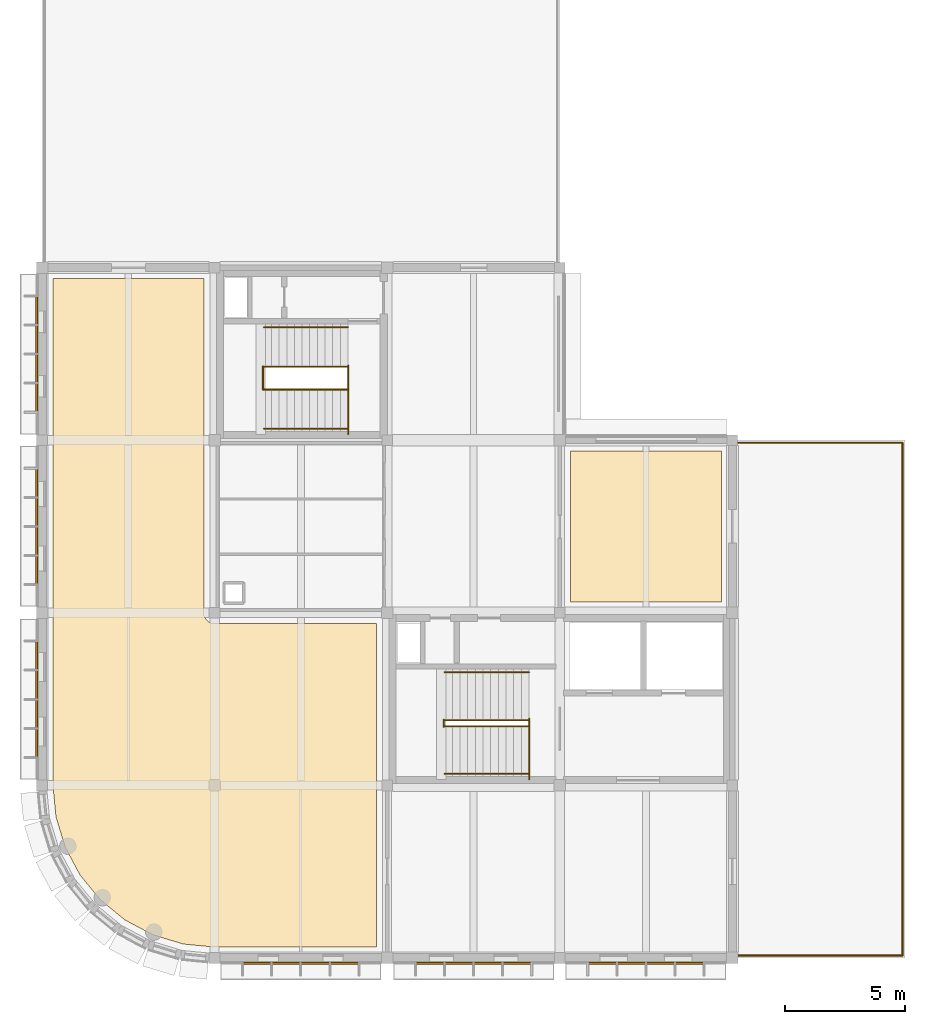
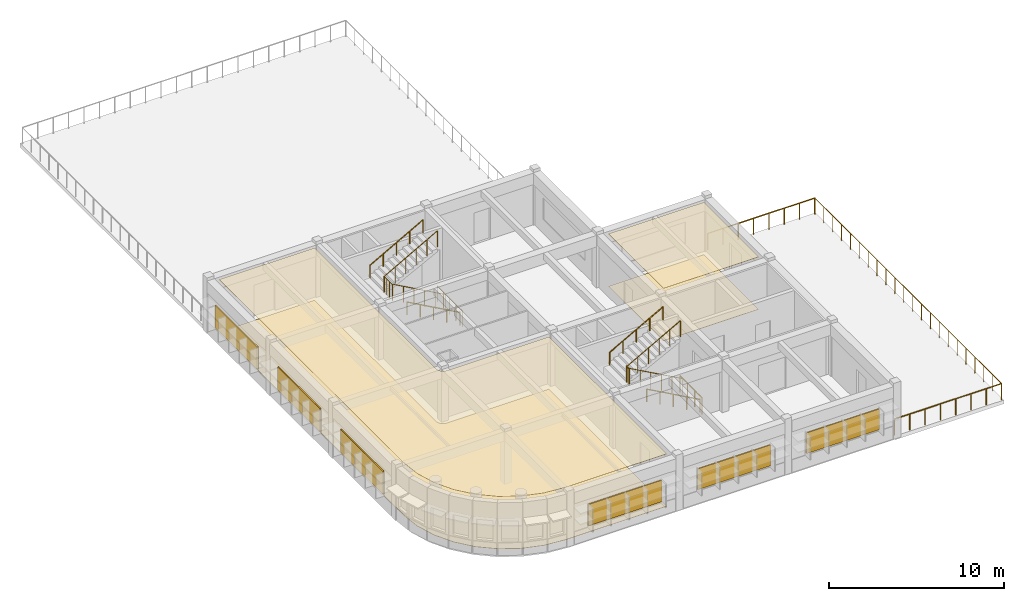
# One storey, part 6 of 7: 17 railings, 6 shading devices, 4 coverings.
"""IFC4 building model written with IfcOpenShell, lengths in metres."""

from ifc_helpers import new_model, si_unit, direction, frame, origin, origin_2d, place, context, subcontext, project, spatial, polyline, rectangle, circle, outline, extrude, material, layer, layer_set, type_object, element, save


model = new_model("IFC4")

# Units and contexts
model_context = context("Model", 3, precision=1e-05, world=origin(), true_north=direction((0.0, 1.0)))
body_context = subcontext(model_context, "Body", "Model", "MODEL_VIEW")
ifc_project = project(units=[si_unit("LENGTHUNIT", "METRE"), si_unit("AREAUNIT", "SQUARE_METRE"), si_unit("VOLUMEUNIT", "CUBIC_METRE"), si_unit("PLANEANGLEUNIT", "RADIAN"), si_unit("MASSUNIT", "GRAM", prefix="KILO")], contexts=[model_context])

# Site, building, storey
site_placement = place(None, origin())
site = spatial("IfcSite", under=ifc_project, at=site_placement, CompositionType="ELEMENT")
building_placement = place(site_placement, origin())
building = spatial("IfcBuilding", under=site, at=building_placement, Name="Thalmaran Polytechnic", CompositionType="ELEMENT")
storey_placement = place(building_placement, frame((0.0, 0.0, 30.60009765625)))
storey = spatial("IfcBuildingStorey", under=building, at=storey_placement, Name="L07", CompositionType="ELEMENT", Elevation=30.60009765625)

# Coverings
ifc_material_1 = material(Name="Acoustic mineral fibre ceiling")
ifc_layer_1 = layer(ifc_material_1, 0.02490234375, Name="Acoustic mineral fibre ceiling")
ifc_layer_set_1 = layer_set([ifc_layer_1], Name="Acoustic mineral fibre ceiling")
covering_type_1 = type_object("IfcCoveringType", Name="CV-CL01", PredefinedType="CEILING", material=ifc_layer_set_1)
covering_1_placement = place(storey_placement, frame((0.0, 0.0, 3.659912109375)))
element("IfcCovering", 1, at=covering_1_placement, inside=storey, type_object=covering_type_1, Name="Academic Department Suite L07-01 Acoustic Ceiling", PredefinedType="CEILING", context=body_context, shape_type="SweptSolid", body=[
    extrude(outline(polyline([(4.61767578125, 0.9658203125), (3.451171875, 1.58935546875), (2.428466796875, 2.428466796875), (1.58935546875, 3.451171875), (0.9658203125, 4.61767578125), (0.581787109375, 5.883544921875), (0.449951171875, 7.22216796875), (0.449951171875, 28.35009765625), (6.75, 28.35009765625), (6.75, 14.39990234375), (6.752197265625, 14.35595703125), (6.758544921875, 14.312255859375), (6.769287109375, 14.269287109375), (6.7841796875, 14.227783203125), (6.80322265625, 14.18798828125), (6.825927734375, 14.14990234375), (6.85205078125, 14.114501953125), (6.8818359375, 14.081787109375), (6.91455078125, 14.05224609375), (6.949951171875, 14.02587890625), (6.98779296875, 14.003173828125), (7.02783203125, 13.984375), (7.0693359375, 13.969482421875), (7.1123046875, 13.958740234375), (7.156005859375, 13.9521484375), (7.199951171875, 13.949951171875), (13.949951171875, 13.949951171875), (13.949951171875, 0.449951171875), (7.22216796875, 0.449951171875), (5.883544921875, 0.581787109375), (4.61767578125, 0.9658203125)])), origin(), (0.0, 0.0, 1.0), 0.02490234375),
])
covering_2_placement = place(storey_placement, frame((0.0, 0.0, 3.659912109375)))
element("IfcCovering", 2, at=covering_2_placement, inside=storey, type_object=covering_type_1, Name="Fluid Mechanics Laboratory L07-02 Acoustic Ceiling", PredefinedType="CEILING", context=body_context, shape_type="SweptSolid", body=[
    extrude(outline(polyline([(28.35009765625, 14.85009765625), (22.050048828125, 14.85009765625), (22.050048828125, 21.14990234375), (28.35009765625, 21.14990234375), (28.35009765625, 14.85009765625)])), origin(), (0.0, 0.0, 1.0), 0.02490234375),
])
ifc_material_2 = material(Name="Polished terrazzo and epoxy lab flooring")
ifc_layer_2 = layer(ifc_material_2, 0.02001953125, Name="Polished terrazzo and epoxy lab flooring")
ifc_layer_set_2 = layer_set([ifc_layer_2], Name="Polished terrazzo and epoxy lab flooring")
covering_type_2 = type_object("IfcCoveringType", Name="CV-FL01", PredefinedType="FLOORING", material=ifc_layer_set_2)
covering_3_placement = place(storey_placement, origin())
element("IfcCovering", 3, at=covering_3_placement, inside=storey, type_object=covering_type_2, Name="Academic Department Suite L07-01 Specialist Finish Flooring", PredefinedType="FLOORING", context=body_context, shape_type="SweptSolid", body=[
    extrude(outline(polyline([(4.61767578125, 0.9658203125), (3.451171875, 1.58935546875), (2.428466796875, 2.428466796875), (1.58935546875, 3.451171875), (0.9658203125, 4.61767578125), (0.581787109375, 5.883544921875), (0.449951171875, 7.22216796875), (0.449951171875, 28.35009765625), (6.75, 28.35009765625), (6.75, 14.39990234375), (6.752197265625, 14.35595703125), (6.758544921875, 14.312255859375), (6.769287109375, 14.269287109375), (6.7841796875, 14.227783203125), (6.80322265625, 14.18798828125), (6.825927734375, 14.14990234375), (6.85205078125, 14.114501953125), (6.8818359375, 14.081787109375), (6.91455078125, 14.05224609375), (6.949951171875, 14.02587890625), (6.98779296875, 14.003173828125), (7.02783203125, 13.984375), (7.0693359375, 13.969482421875), (7.1123046875, 13.958740234375), (7.156005859375, 13.9521484375), (7.199951171875, 13.949951171875), (13.949951171875, 13.949951171875), (13.949951171875, 0.449951171875), (7.22216796875, 0.449951171875), (5.883544921875, 0.581787109375), (4.61767578125, 0.9658203125)])), origin(), (0.0, 0.0, 1.0), 0.02001953125),
])
covering_4_placement = place(storey_placement, origin())
element("IfcCovering", 4, at=covering_4_placement, inside=storey, type_object=covering_type_2, Name="Fluid Mechanics Laboratory L07-02 Specialist Finish Flooring", PredefinedType="FLOORING", context=body_context, shape_type="SweptSolid", body=[
    extrude(outline(polyline([(28.35009765625, 14.85009765625), (22.050048828125, 14.85009765625), (22.050048828125, 21.14990234375), (28.35009765625, 21.14990234375), (28.35009765625, 14.85009765625)])), origin(), (0.0, 0.0, 1.0), 0.02001953125),
])

# Railings
ifc_material_3 = material(Name="Stainless steel 316 and laminated glass", Category="steel")
railing_type_1 = type_object("IfcRailingType", Name="RL-BL01", PredefinedType="BALUSTRADE", material=ifc_material_3)
railing_1_placement = place(storey_placement, frame((28.81005859375, 21.5, 0.0)))
element("IfcRailing", 5, at=railing_1_placement, inside=storey, type_object=railing_type_1, Name="Terrace Balustrade Guard L07-1-1", PredefinedType="BALUSTRADE", context=body_context, shape_type="SweptSolid", body=[
    extrude(circle(Radius=0.02392578125, at=origin_2d()), frame((0.0, 0.0, 1.1259765625), z_axis=(1.0, 0.0, 0.0), x_axis=(0.0, 1.0, 0.0)), (0.0, 0.0, 1.0), 7.08984375),
    extrude(circle(Radius=0.02099609375, at=origin_2d()), origin(), (0.0, 0.0, 1.0), 1.101806640625),
    extrude(circle(Radius=0.02099609375, at=origin_2d()), frame((1.012939453125, 0.0, 0.0)), (0.0, 0.0, 1.0), 1.101806640625),
    extrude(circle(Radius=0.02099609375, at=origin_2d()), frame((2.025634765625, 0.0, 0.0)), (0.0, 0.0, 1.0), 1.101806640625),
    extrude(circle(Radius=0.02099609375, at=origin_2d()), frame((3.03857421875, 0.0, 0.0)), (0.0, 0.0, 1.0), 1.101806640625),
    extrude(circle(Radius=0.02099609375, at=origin_2d()), frame((4.05126953125, 0.0, 0.0)), (0.0, 0.0, 1.0), 1.101806640625),
    extrude(circle(Radius=0.02099609375, at=origin_2d()), frame((5.064208984375, 0.0, 0.0)), (0.0, 0.0, 1.0), 1.101806640625),
    extrude(circle(Radius=0.02099609375, at=origin_2d()), frame((6.076904296875, 0.0, 0.0)), (0.0, 0.0, 1.0), 1.101806640625),
    extrude(circle(Radius=0.02099609375, at=origin_2d()), frame((7.08984375, 0.0, 0.0)), (0.0, 0.0, 1.0), 1.101806640625),
])
for number, where, name in (
    (6, (35.89990234375, 21.5, 0.0), "Terrace Balustrade Guard L07-1-2"),
    (7, (35.89990234375, 14.36669921875, 0.0), "Terrace Balustrade Guard L07-1-3"),
    (8, (35.89990234375, 7.2333984375, 0.0), "Terrace Balustrade Guard L07-1-4"),
):
    element("IfcRailing", number, at=place(storey_placement, frame(where)), inside=storey, type_object=railing_type_1, Name=name, PredefinedType="BALUSTRADE", context=body_context, shape_type="SweptSolid", body=[
        extrude(circle(Radius=0.02392578125, at=origin_2d()), frame((0.0, 0.0, 1.1259765625), z_axis=(0.0, -1.0, 0.0), x_axis=(1.0, 0.0, 0.0)), (0.0, 0.0, 1.0), 7.13330078125),
        extrude(circle(Radius=0.02099609375, at=origin_2d()), origin(), (0.0, 0.0, 1.0), 1.101806640625),
        extrude(circle(Radius=0.02099609375, at=origin_2d()), frame((0.0, -1.01904296875, 0.0)), (0.0, 0.0, 1.0), 1.101806640625),
        extrude(circle(Radius=0.02099609375, at=origin_2d()), frame((0.0, -2.0380859375, 0.0)), (0.0, 0.0, 1.0), 1.101806640625),
        extrude(circle(Radius=0.02099609375, at=origin_2d()), frame((0.0, -3.05712890625, 0.0)), (0.0, 0.0, 1.0), 1.101806640625),
        extrude(circle(Radius=0.02099609375, at=origin_2d()), frame((0.0, -4.076171875, 0.0)), (0.0, 0.0, 1.0), 1.101806640625),
        extrude(circle(Radius=0.02099609375, at=origin_2d()), frame((0.0, -5.09521484375, 0.0)), (0.0, 0.0, 1.0), 1.101806640625),
        extrude(circle(Radius=0.02099609375, at=origin_2d()), frame((0.0, -6.1142578125, 0.0)), (0.0, 0.0, 1.0), 1.101806640625),
        extrude(circle(Radius=0.02099609375, at=origin_2d()), frame((0.0, -7.13330078125, 0.0)), (0.0, 0.0, 1.0), 1.101806640625),
    ])
railing_2_placement = place(storey_placement, frame((35.89990234375, 0.10009765625, 0.0)))
element("IfcRailing", 9, at=railing_2_placement, inside=storey, type_object=railing_type_1, Name="Terrace Balustrade Guard L07-1-5", PredefinedType="BALUSTRADE", context=body_context, shape_type="SweptSolid", body=[
    extrude(circle(Radius=0.02392578125, at=origin_2d()), frame((0.0, 0.0, 1.1259765625), z_axis=(-1.0, 0.0, 0.0), x_axis=(0.0, -1.0, 0.0)), (0.0, 0.0, 1.0), 7.08984375),
    extrude(circle(Radius=0.02099609375, at=origin_2d()), origin(), (0.0, 0.0, 1.0), 1.101806640625),
    extrude(circle(Radius=0.02099609375, at=origin_2d()), frame((-1.012939453125, 0.0, 0.0)), (0.0, 0.0, 1.0), 1.101806640625),
    extrude(circle(Radius=0.02099609375, at=origin_2d()), frame((-2.025634765625, 0.0, 0.0)), (0.0, 0.0, 1.0), 1.101806640625),
    extrude(circle(Radius=0.02099609375, at=origin_2d()), frame((-3.03857421875, 0.0, 0.0)), (0.0, 0.0, 1.0), 1.101806640625),
    extrude(circle(Radius=0.02099609375, at=origin_2d()), frame((-4.05126953125, 0.0, 0.0)), (0.0, 0.0, 1.0), 1.101806640625),
    extrude(circle(Radius=0.02099609375, at=origin_2d()), frame((-5.064208984375, 0.0, 0.0)), (0.0, 0.0, 1.0), 1.101806640625),
    extrude(circle(Radius=0.02099609375, at=origin_2d()), frame((-6.076904296875, 0.0, 0.0)), (0.0, 0.0, 1.0), 1.101806640625),
    extrude(circle(Radius=0.02099609375, at=origin_2d()), frame((-7.08984375, 0.0, 0.0)), (0.0, 0.0, 1.0), 1.101806640625),
])
ifc_material_4 = material(Name="Stainless steel 316", Category="steel")
railing_type_2 = type_object("IfcRailingType", Name="RL-GR01", PredefinedType="GUARDRAIL", material=ifc_material_4)
railing_3_placement = place(storey_placement, frame((20.330078125, 7.449951171875, 0.0)))
element("IfcRailing", 10, at=railing_3_placement, inside=storey, type_object=railing_type_2, Name="ST1 L07 Landing Edge Guardrail", PredefinedType="GUARDRAIL", context=body_context, shape_type="SweptSolid", body=[
    extrude(circle(Radius=0.02392578125, at=origin_2d()), frame((0.0, 0.0, 1.1259765625), z_axis=(0.0, 1.0, 0.0), x_axis=(-1.0, 0.0, 0.0)), (0.0, 0.0, 1.0), 2.530029296875),
    extrude(circle(Radius=0.02099609375, at=origin_2d()), origin(), (0.0, 0.0, 1.0), 1.101806640625),
    extrude(circle(Radius=0.02099609375, at=origin_2d()), frame((0.0, 0.84326171875, 0.0)), (0.0, 0.0, 1.0), 1.101806640625),
    extrude(circle(Radius=0.02099609375, at=origin_2d()), frame((0.0, 1.686767578125, 0.0)), (0.0, 0.0, 1.0), 1.101806640625),
    extrude(circle(Radius=0.02099609375, at=origin_2d()), frame((0.0, 2.530029296875, 0.0)), (0.0, 0.0, 1.0), 1.101806640625),
])
railing_4_placement = place(storey_placement, frame((20.320068359375, 9.659912109375, 0.0)))
element("IfcRailing", 11, at=railing_4_placement, inside=storey, type_object=railing_type_2, Name="ST1 L07 Lower Flight Guardrail", PredefinedType="GUARDRAIL", context=body_context, shape_type="SweptSolid", body=[
    extrude(circle(Radius=0.02392578125, at=origin_2d()), frame((0.0, 0.0, 1.1259765625), z_axis=(-0.874749022873, 0.0, 0.484576255076), x_axis=(0.0, -1.0, 0.0)), (0.0, 0.0, 1.0), 4.02392578125),
    extrude(circle(Radius=0.02099609375, at=origin_2d()), origin(), (0.0, 0.0, 1.0), 1.101806640625),
    extrude(circle(Radius=0.02099609375, at=origin_2d()), frame((-0.7041015625, 0.0, 0.389892578125)), (0.0, 0.0, 1.0), 1.101806640625),
    extrude(circle(Radius=0.02099609375, at=origin_2d()), frame((-1.407958984375, 0.0, 0.780029296875)), (0.0, 0.0, 1.0), 1.101806640625),
    extrude(circle(Radius=0.02099609375, at=origin_2d()), frame((-2.112060546875, 0.0, 1.169921875)), (0.0, 0.0, 1.0), 1.101806640625),
    extrude(circle(Radius=0.02099609375, at=origin_2d()), frame((-2.81591796875, 0.0, 1.56005859375)), (0.0, 0.0, 1.0), 1.101806640625),
    extrude(circle(Radius=0.02099609375, at=origin_2d()), frame((-3.52001953125, 0.0, 1.949951171875)), (0.0, 0.0, 1.0), 1.101806640625),
])
railing_5_placement = place(storey_placement, frame((16.760009765625, 9.639892578125, 1.949951171875)))
element("IfcRailing", 12, at=railing_5_placement, inside=storey, type_object=railing_type_2, Name="ST1 L07 Half-Landing Well Guardrail", PredefinedType="GUARDRAIL", context=body_context, shape_type="SweptSolid", body=[
    extrude(circle(Radius=0.02392578125, at=origin_2d()), frame((0.0, 0.0, 1.1259765625), z_axis=(0.0, 1.0, 0.0), x_axis=(-1.0, 0.0, 0.0)), (0.0, 0.0, 1.0), 0.300048828125),
    extrude(circle(Radius=0.02099609375, at=origin_2d()), origin(), (0.0, 0.0, 1.0), 1.101806640625),
    extrude(circle(Radius=0.02099609375, at=origin_2d()), frame((0.0, 0.300048828125, 0.0)), (0.0, 0.0, 1.0), 1.101806640625),
])
railing_6_placement = place(storey_placement, frame((16.800048828125, 9.919921875, 1.949951171875)))
element("IfcRailing", 13, at=railing_6_placement, inside=storey, type_object=railing_type_2, Name="ST1 L07 Upper Flight Guardrail", PredefinedType="GUARDRAIL", context=body_context, shape_type="SweptSolid", body=[
    extrude(circle(Radius=0.02392578125, at=origin_2d()), frame((0.0, 0.0, 1.1259765625), z_axis=(0.874749022873, 0.0, 0.484576255076), x_axis=(0.0, 1.0, 0.0)), (0.0, 0.0, 1.0), 4.02392578125),
    extrude(circle(Radius=0.02099609375, at=origin_2d()), origin(), (0.0, 0.0, 1.0), 1.101806640625),
    extrude(circle(Radius=0.02099609375, at=origin_2d()), frame((0.7041015625, 0.0, 0.389892578125)), (0.0, 0.0, 1.0), 1.101806640625),
    extrude(circle(Radius=0.02099609375, at=origin_2d()), frame((1.407958984375, 0.0, 0.780029296875)), (0.0, 0.0, 1.0), 1.101806640625),
    extrude(circle(Radius=0.02099609375, at=origin_2d()), frame((2.112060546875, 0.0, 1.169921875)), (0.0, 0.0, 1.0), 1.101806640625),
    extrude(circle(Radius=0.02099609375, at=origin_2d()), frame((2.81591796875, 0.0, 1.56005859375)), (0.0, 0.0, 1.0), 1.101806640625),
    extrude(circle(Radius=0.02099609375, at=origin_2d()), frame((3.52001953125, 0.0, 1.949951171875)), (0.0, 0.0, 1.0), 1.101806640625),
])
railing_7_placement = place(storey_placement, frame((12.77001953125, 21.85009765625, 0.0)))
element("IfcRailing", 14, at=railing_7_placement, inside=storey, type_object=railing_type_2, Name="ST3 L07 Landing Edge Guardrail", PredefinedType="GUARDRAIL", context=body_context, shape_type="SweptSolid", body=[
    extrude(circle(Radius=0.02392578125, at=origin_2d()), frame((0.0, 0.0, 1.1259765625), z_axis=(0.0, 1.0, 0.0), x_axis=(-1.0, 0.0, 0.0)), (0.0, 0.0, 1.0), 2.869873046875),
    extrude(circle(Radius=0.02099609375, at=origin_2d()), origin(), (0.0, 0.0, 1.0), 1.101806640625),
    extrude(circle(Radius=0.02099609375, at=origin_2d()), frame((0.0, 0.717529296875, 0.0)), (0.0, 0.0, 1.0), 1.101806640625),
    extrude(circle(Radius=0.02099609375, at=origin_2d()), frame((0.0, 1.43505859375, 0.0)), (0.0, 0.0, 1.0), 1.101806640625),
    extrude(circle(Radius=0.02099609375, at=origin_2d()), frame((0.0, 2.15234375, 0.0)), (0.0, 0.0, 1.0), 1.101806640625),
    extrude(circle(Radius=0.02099609375, at=origin_2d()), frame((0.0, 2.869873046875, 0.0)), (0.0, 0.0, 1.0), 1.101806640625),
])
railing_8_placement = place(storey_placement, frame((12.760009765625, 23.719970703125, 0.0)))
element("IfcRailing", 15, at=railing_8_placement, inside=storey, type_object=railing_type_2, Name="ST3 L07 Lower Flight Guardrail", PredefinedType="GUARDRAIL", context=body_context, shape_type="SweptSolid", body=[
    extrude(circle(Radius=0.02392578125, at=origin_2d()), frame((0.0, 0.0, 1.1259765625), z_axis=(-0.873573157803, 0.0, 0.486692857936), x_axis=(0.0, -1.0, 0.0)), (0.0, 0.0, 1.0), 4.006591796875),
    extrude(circle(Radius=0.02099609375, at=origin_2d()), origin(), (0.0, 0.0, 1.0), 1.101806640625),
    extrude(circle(Radius=0.02099609375, at=origin_2d()), frame((-0.699951171875, 0.0, 0.389892578125)), (0.0, 0.0, 1.0), 1.101806640625),
    extrude(circle(Radius=0.02099609375, at=origin_2d()), frame((-1.39990234375, 0.0, 0.780029296875)), (0.0, 0.0, 1.0), 1.101806640625),
    extrude(circle(Radius=0.02099609375, at=origin_2d()), frame((-2.10009765625, 0.0, 1.169921875)), (0.0, 0.0, 1.0), 1.101806640625),
    extrude(circle(Radius=0.02099609375, at=origin_2d()), frame((-2.800048828125, 0.0, 1.56005859375)), (0.0, 0.0, 1.0), 1.101806640625),
    extrude(circle(Radius=0.02099609375, at=origin_2d()), frame((-3.5, 0.0, 1.949951171875)), (0.0, 0.0, 1.0), 1.101806640625),
])
railing_9_placement = place(storey_placement, frame((9.219970703125, 23.699951171875, 1.949951171875)))
element("IfcRailing", 16, at=railing_9_placement, inside=storey, type_object=railing_type_2, Name="ST3 L07 Half-Landing Well Guardrail", PredefinedType="GUARDRAIL", context=body_context, shape_type="SweptSolid", body=[
    extrude(circle(Radius=0.02392578125, at=origin_2d()), frame((0.0, 0.0, 1.1259765625), z_axis=(0.0, 1.0, 0.0), x_axis=(-1.0, 0.0, 0.0)), (0.0, 0.0, 1.0), 0.97998046875),
    extrude(circle(Radius=0.02099609375, at=origin_2d()), origin(), (0.0, 0.0, 1.0), 1.101806640625),
    extrude(circle(Radius=0.02099609375, at=origin_2d()), frame((0.0, 0.32666015625, 0.0)), (0.0, 0.0, 1.0), 1.101806640625),
    extrude(circle(Radius=0.02099609375, at=origin_2d()), frame((0.0, 0.6533203125, 0.0)), (0.0, 0.0, 1.0), 1.101806640625),
    extrude(circle(Radius=0.02099609375, at=origin_2d()), frame((0.0, 0.97998046875, 0.0)), (0.0, 0.0, 1.0), 1.101806640625),
])
railing_10_placement = place(storey_placement, frame((9.260009765625, 24.659912109375, 1.949951171875)))
element("IfcRailing", 17, at=railing_10_placement, inside=storey, type_object=railing_type_2, Name="ST3 L07 Upper Flight Guardrail", PredefinedType="GUARDRAIL", context=body_context, shape_type="SweptSolid", body=[
    extrude(circle(Radius=0.02392578125, at=origin_2d()), frame((0.0, 0.0, 1.1259765625), z_axis=(0.873573157803, 0.0, 0.486692857936), x_axis=(0.0, 1.0, 0.0)), (0.0, 0.0, 1.0), 4.006591796875),
    extrude(circle(Radius=0.02099609375, at=origin_2d()), origin(), (0.0, 0.0, 1.0), 1.101806640625),
    extrude(circle(Radius=0.02099609375, at=origin_2d()), frame((0.699951171875, 0.0, 0.389892578125)), (0.0, 0.0, 1.0), 1.101806640625),
    extrude(circle(Radius=0.02099609375, at=origin_2d()), frame((1.39990234375, 0.0, 0.780029296875)), (0.0, 0.0, 1.0), 1.101806640625),
    extrude(circle(Radius=0.02099609375, at=origin_2d()), frame((2.10009765625, 0.0, 1.169921875)), (0.0, 0.0, 1.0), 1.101806640625),
    extrude(circle(Radius=0.02099609375, at=origin_2d()), frame((2.800048828125, 0.0, 1.56005859375)), (0.0, 0.0, 1.0), 1.101806640625),
    extrude(circle(Radius=0.02099609375, at=origin_2d()), frame((3.5, 0.0, 1.949951171875)), (0.0, 0.0, 1.0), 1.101806640625),
])
railing_type_3 = type_object("IfcRailingType", Name="RL-HR01", PredefinedType="HANDRAIL", material=ifc_material_4)
railing_11_placement = place(storey_placement, frame((20.320068359375, 7.679931640625, 0.0)))
element("IfcRailing", 18, at=railing_11_placement, inside=storey, type_object=railing_type_3, Name="ST1 L07 Flight 1 Handrail", PredefinedType="HANDRAIL", context=body_context, shape_type="SweptSolid", body=[
    extrude(circle(Radius=0.02392578125, at=origin_2d()), frame((0.0, 0.0, 0.8759765625), z_axis=(-0.874749022873, 0.0, 0.484576255076), x_axis=(0.0, -1.0, 0.0)), (0.0, 0.0, 1.0), 4.02392578125),
    extrude(circle(Radius=0.02099609375, at=origin_2d()), origin(), (0.0, 0.0, 1.0), 0.851806640625),
    extrude(circle(Radius=0.02099609375, at=origin_2d()), frame((-0.8798828125, 0.0, 0.487548828125)), (0.0, 0.0, 1.0), 0.851806640625),
    extrude(circle(Radius=0.02099609375, at=origin_2d()), frame((-1.760009765625, 0.0, 0.97509765625)), (0.0, 0.0, 1.0), 0.851806640625),
    extrude(circle(Radius=0.02099609375, at=origin_2d()), frame((-2.64013671875, 0.0, 1.46240234375)), (0.0, 0.0, 1.0), 0.851806640625),
    extrude(circle(Radius=0.02099609375, at=origin_2d()), frame((-3.52001953125, 0.0, 1.949951171875)), (0.0, 0.0, 1.0), 0.851806640625),
])
railing_12_placement = place(storey_placement, frame((16.800048828125, 11.919921875, 1.949951171875)))
element("IfcRailing", 19, at=railing_12_placement, inside=storey, type_object=railing_type_3, Name="ST1 L07 Flight 2 Handrail", PredefinedType="HANDRAIL", context=body_context, shape_type="SweptSolid", body=[
    extrude(circle(Radius=0.02392578125, at=origin_2d()), frame((0.0, 0.0, 0.8759765625), z_axis=(0.874749022873, 0.0, 0.484576255076), x_axis=(0.0, 1.0, 0.0)), (0.0, 0.0, 1.0), 4.02392578125),
    extrude(circle(Radius=0.02099609375, at=origin_2d()), origin(), (0.0, 0.0, 1.0), 0.851806640625),
    extrude(circle(Radius=0.02099609375, at=origin_2d()), frame((0.8798828125, 0.0, 0.487548828125)), (0.0, 0.0, 1.0), 0.851806640625),
    extrude(circle(Radius=0.02099609375, at=origin_2d()), frame((1.760009765625, 0.0, 0.97509765625)), (0.0, 0.0, 1.0), 0.851806640625),
    extrude(circle(Radius=0.02099609375, at=origin_2d()), frame((2.64013671875, 0.0, 1.46240234375)), (0.0, 0.0, 1.0), 0.851806640625),
    extrude(circle(Radius=0.02099609375, at=origin_2d()), frame((3.52001953125, 0.0, 1.949951171875)), (0.0, 0.0, 1.0), 0.851806640625),
])
railing_13_placement = place(storey_placement, frame((12.760009765625, 22.080078125, 0.0)))
element("IfcRailing", 20, at=railing_13_placement, inside=storey, type_object=railing_type_3, Name="ST3 L07 Flight 1 Handrail", PredefinedType="HANDRAIL", context=body_context, shape_type="SweptSolid", body=[
    extrude(circle(Radius=0.02392578125, at=origin_2d()), frame((0.0, 0.0, 0.8759765625), z_axis=(-0.873573157803, 0.0, 0.486692857936), x_axis=(0.0, -1.0, 0.0)), (0.0, 0.0, 1.0), 4.006591796875),
    extrude(circle(Radius=0.02099609375, at=origin_2d()), origin(), (0.0, 0.0, 1.0), 0.851806640625),
    extrude(circle(Radius=0.02099609375, at=origin_2d()), frame((-0.875, 0.0, 0.487548828125)), (0.0, 0.0, 1.0), 0.851806640625),
    extrude(circle(Radius=0.02099609375, at=origin_2d()), frame((-1.75, 0.0, 0.97509765625)), (0.0, 0.0, 1.0), 0.851806640625),
    extrude(circle(Radius=0.02099609375, at=origin_2d()), frame((-2.625, 0.0, 1.46240234375)), (0.0, 0.0, 1.0), 0.851806640625),
    extrude(circle(Radius=0.02099609375, at=origin_2d()), frame((-3.5, 0.0, 1.949951171875)), (0.0, 0.0, 1.0), 0.851806640625),
])
railing_14_placement = place(storey_placement, frame((9.260009765625, 26.320068359375, 1.949951171875)))
element("IfcRailing", 21, at=railing_14_placement, inside=storey, type_object=railing_type_3, Name="ST3 L07 Flight 2 Handrail", PredefinedType="HANDRAIL", context=body_context, shape_type="SweptSolid", body=[
    extrude(circle(Radius=0.02392578125, at=origin_2d()), frame((0.0, 0.0, 0.8759765625), z_axis=(0.873573157803, 0.0, 0.486692857936), x_axis=(0.0, 1.0, 0.0)), (0.0, 0.0, 1.0), 4.006591796875),
    extrude(circle(Radius=0.02099609375, at=origin_2d()), origin(), (0.0, 0.0, 1.0), 0.851806640625),
    extrude(circle(Radius=0.02099609375, at=origin_2d()), frame((0.875, 0.0, 0.487548828125)), (0.0, 0.0, 1.0), 0.851806640625),
    extrude(circle(Radius=0.02099609375, at=origin_2d()), frame((1.75, 0.0, 0.97509765625)), (0.0, 0.0, 1.0), 0.851806640625),
    extrude(circle(Radius=0.02099609375, at=origin_2d()), frame((2.625, 0.0, 1.46240234375)), (0.0, 0.0, 1.0), 0.851806640625),
    extrude(circle(Radius=0.02099609375, at=origin_2d()), frame((3.5, 0.0, 1.949951171875)), (0.0, 0.0, 1.0), 0.851806640625),
])

# Shading devices
ifc_material_5 = material(Name="Perforated anodised-bronze aluminium screen", Category="aluminium")
ifc_layer_3 = layer(ifc_material_5, 0.080078125, Name="Perforated anodised-bronze aluminium screen")
ifc_layer_set_3 = layer_set([ifc_layer_3], Name="Perforated anodised-bronze aluminium screen")
shading_device_type = type_object("IfcShadingDeviceType", Name="SH-JL01", PredefinedType="JALOUSIE", material=ifc_layer_set_3)
for number, where, z_axis, x_axis, name in (
    (22, (-0.219970703125, 10.800048828125, 1.02490234375), (0.0, 0.0, 1.0), (0.0, 1.0, 0.0), "Anodised-Bronze Mashrabiya Solar Screen L07-006"),
    (23, (-0.219970703125, 18.0, 1.02490234375), (0.0, 0.0, 1.0), (0.0, 1.0, 0.0), "Anodised-Bronze Mashrabiya Solar Screen L07-007"),
):
    element("IfcShadingDevice", number, at=place(storey_placement, frame(where, z_axis=z_axis, x_axis=x_axis)), inside=storey, type_object=shading_device_type, Name=name, PredefinedType="JALOUSIE", context=body_context, shape_type="SweptSolid", body=[
        extrude(rectangle(XDim=4.84912109375, YDim=0.080078125, at=origin_2d()), origin(), (0.0, 0.0, 1.0), 1.60009765625),
    ])
shading_device_1_placement = place(storey_placement, frame((-0.219970703125, 25.199951171875, 1.02490234375), z_axis=(0.0, 0.0, 1.0), x_axis=(0.0, 1.0, 0.0)))
element("IfcShadingDevice", 24, at=shading_device_1_placement, inside=storey, type_object=shading_device_type, Name="Anodised-Bronze Mashrabiya Solar Screen L07-008", PredefinedType="JALOUSIE", context=body_context, shape_type="SweptSolid", body=[
    extrude(rectangle(XDim=4.84912109375, YDim=0.080078125, at=origin_2d()), origin(), (0.0, 0.0, 1.0), 1.550048828125),
])
for number, where, z_axis, x_axis, name in (
    (25, (25.199951171875, -0.219970703125, 1.02490234375), (0.0, 0.0, 1.0), (-1.0, 0.0, 0.0), "Anodised-Bronze Mashrabiya Solar Screen L07-017"),
    (26, (18.0, -0.219970703125, 1.02490234375), (0.0, 0.0, 1.0), (-1.0, 0.0, 0.0), "Anodised-Bronze Mashrabiya Solar Screen L07-018"),
):
    element("IfcShadingDevice", number, at=place(storey_placement, frame(where, z_axis=z_axis, x_axis=x_axis)), inside=storey, type_object=shading_device_type, Name=name, PredefinedType="JALOUSIE", context=body_context, shape_type="SweptSolid", body=[
        extrude(rectangle(XDim=4.84912109375, YDim=0.080078125, at=origin_2d()), origin(), (0.0, 0.0, 1.0), 1.449951171875),
    ])
shading_device_2_placement = place(storey_placement, frame((10.800048828125, -0.219970703125, 1.02490234375), z_axis=(0.0, 0.0, 1.0), x_axis=(-1.0, 0.0, 0.0)))
element("IfcShadingDevice", 27, at=shading_device_2_placement, inside=storey, type_object=shading_device_type, Name="Anodised-Bronze Mashrabiya Solar Screen L07-019", PredefinedType="JALOUSIE", context=body_context, shape_type="SweptSolid", body=[
    extrude(rectangle(XDim=4.84912109375, YDim=0.080078125, at=origin_2d()), origin(), (0.0, 0.0, 1.0), 1.5),
])

save(model, "model.ifc")
